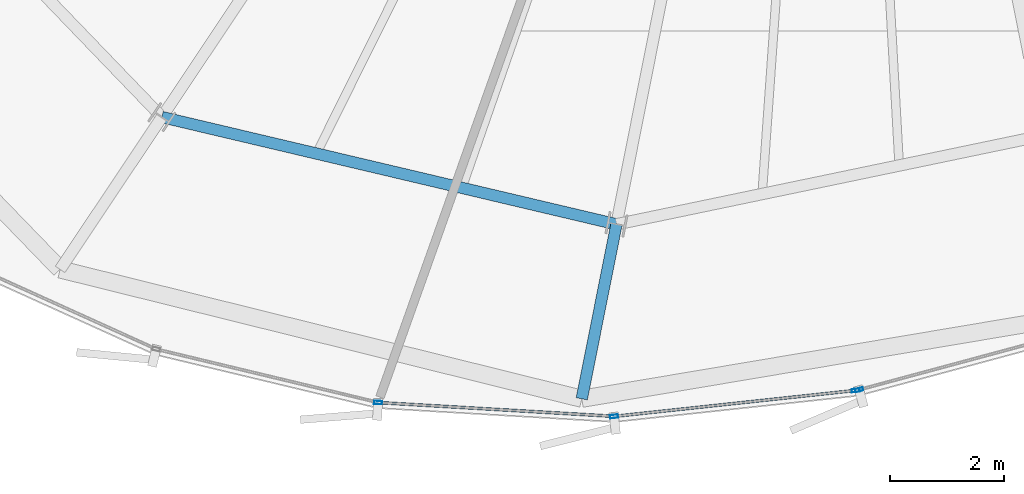
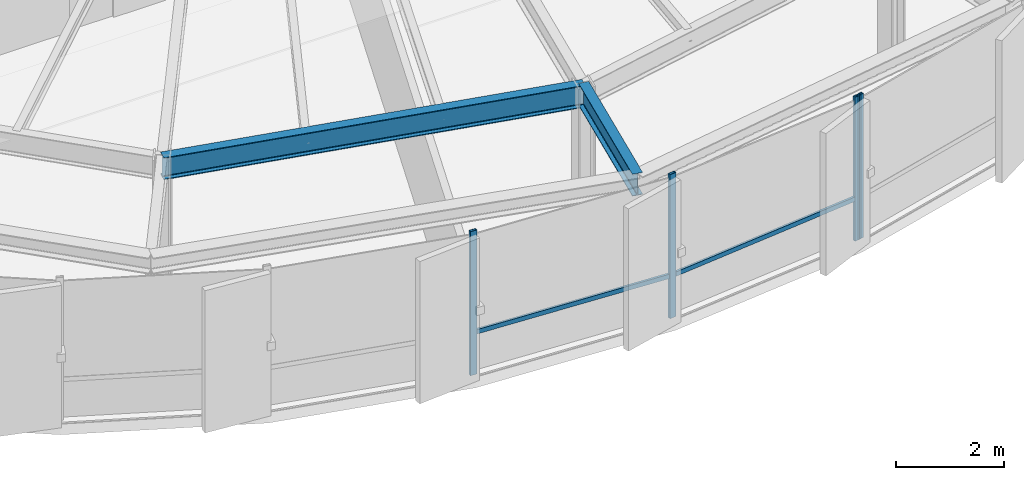
# One storey, part 6 of 35: 6 members, 2 beams, 2 elements without a shape of their own.
"""IFC4 building model written with IfcOpenShell, lengths in metres."""

import ifcopenshell
import ifcopenshell.guid

model = None  # the IFC model being written
_history = None  # IfcOwnerHistory: only IFC2X3 demands one
_inside = {}  # id of a spatial element -> (the spatial element, [elements in it])
_under = {}  # id of a project, library or spatial element -> (it, [spatial elements below it])
_declared = {}  # id of a project -> (the project, [libraries it declares])
_typed = {}  # id of a type object -> (the type object, [elements of that type])
_made_of = {}  # id of a material, layer set ... -> (it, [elements and type objects made of it])


def new_model(schema):
    """Start an empty IFC model of exactly this schema.

    Asked for "IFC4X3", IfcOpenShell would pick the latest addendum, in which some entities
    have other attributes; the version numbers below select the first issue.
    IFC2X3 requires an IfcOwnerHistory on every rooted entity: one is made here for all.
    """
    global model, _history
    if schema == "IFC4X3":
        model = ifcopenshell.file(schema_version=(4, 3, 0, 0))
    else:
        model = ifcopenshell.file(schema=schema)
    _inside.clear()
    _under.clear()
    _declared.clear()
    _typed.clear()
    _made_of.clear()
    _history = None
    if model.schema == "IFC2X3":
        org = make("IfcOrganization", Name="unknown")
        user = make(
            "IfcPersonAndOrganization",
            ThePerson=make("IfcPerson", FamilyName="unknown"),
            TheOrganization=org,
        )
        app = make(
            "IfcApplication",
            ApplicationDeveloper=org,
            Version="unknown",
            ApplicationFullName="unknown",
            ApplicationIdentifier="unknown",
        )
        _history = make(
            "IfcOwnerHistory",
            OwningUser=user,
            OwningApplication=app,
            ChangeAction="ADDED",
            CreationDate=0,
        )
    return model


def make(cls, **values):
    """One entity of the class cls with the attributes given. An attribute that is None is left unset."""
    return model.create_entity(
        cls, **{name: value for name, value in values.items() if value is not None}
    )


def rooted(cls, **values):
    """An entity with a GlobalId (a new one), such as an element, a storey or a relation."""
    return make(cls, GlobalId=ifcopenshell.guid.new(), OwnerHistory=_history, **values)


def si_unit(unit_type, name, prefix=None):
    """IfcSIUnit, for example si_unit("LENGTHUNIT", "METRE", prefix="MILLI")."""
    return make("IfcSIUnit", UnitType=unit_type, Prefix=prefix, Name=name)


def assignment(units):
    """IfcUnitAssignment: the units of a project."""
    return None if units is None else make("IfcUnitAssignment", Units=units)


def point(xyz):
    """IfcCartesianPoint."""
    return None if xyz is None else make("IfcCartesianPoint", Coordinates=xyz)


def direction(xyz):
    """IfcDirection."""
    return None if xyz is None else make("IfcDirection", DirectionRatios=xyz)


def frame(location, z_axis=None, x_axis=None):
    """IfcAxis2Placement3D, a coordinate frame: its origin and axes. An axis left out is left unset."""
    return make(
        "IfcAxis2Placement3D",
        Location=point(location),
        Axis=direction(z_axis),
        RefDirection=direction(x_axis),
    )


def frame_2d(location, x_axis=None):
    """IfcAxis2Placement2D, a coordinate frame in the plane: its origin and x axis."""
    return make(
        "IfcAxis2Placement2D", Location=point(location), RefDirection=direction(x_axis)
    )


def origin():
    """The frame at (0, 0, 0) with its axes left unset."""
    return frame((0.0, 0.0, 0.0))


def origin_2d():
    """The frame at (0, 0) in the plane with its x axis left unset."""
    return frame_2d((0.0, 0.0))


def place(relative_to, where):
    """IfcLocalPlacement: puts the frame where relative to a parent placement (None: the world)."""
    return make(
        "IfcLocalPlacement", PlacementRelTo=relative_to, RelativePlacement=where
    )


def context(
    kind, dimensions, precision=None, world=None, true_north=None, identifier=None
):
    """IfcGeometricRepresentationContext, for example the 3D "Model" context."""
    return make(
        "IfcGeometricRepresentationContext",
        ContextIdentifier=identifier,
        ContextType=kind,
        CoordinateSpaceDimension=dimensions,
        Precision=precision,
        WorldCoordinateSystem=world,
        TrueNorth=true_north,
    )


def subcontext(parent, identifier, kind, view, scale=None):
    """IfcGeometricRepresentationSubContext, for example "Body" below "Model"."""
    return make(
        "IfcGeometricRepresentationSubContext",
        ContextIdentifier=identifier,
        ContextType=kind,
        ParentContext=parent,
        TargetScale=scale,
        TargetView=view,
    )


def project(units=None, contexts=None):
    """IfcProject with its units and contexts."""
    return rooted(
        "IfcProject",
        Name="project",
        RepresentationContexts=contexts,
        UnitsInContext=assignment(units),
    )


def spatial(cls, under=None, at=None, **own):
    """A site, building, storey or space (cls), placed at a placement, below another one or the project."""
    s = rooted(cls, ObjectPlacement=at, **own)
    if under is not None:
        _under.setdefault(under.id(), (under, []))[1].append(s)
    return s


def profile(cls, at=None, kind="AREA", **sizes):
    """A parametric profile (cls). Its sizes go by their IFC names, for example OverallWidth=200.0."""
    return make(cls, ProfileType=kind, Position=at, **sizes)


def hollow_rectangle(**sizes):
    """IfcRectangleHollowProfileDef."""
    return profile("IfcRectangleHollowProfileDef", **sizes)


def i_section(**sizes):
    """IfcIShapeProfileDef."""
    return profile("IfcIShapeProfileDef", **sizes)


def extrude(swept, where, along, depth):
    """IfcExtrudedAreaSolid: the profile swept, set in the frame where, extruded along a direction by depth."""
    return make(
        "IfcExtrudedAreaSolid",
        SweptArea=swept,
        Position=where,
        ExtrudedDirection=direction(along),
        Depth=depth,
    )


def shape(context_of_items, identifier, shape_type, items):
    """IfcShapeRepresentation: the items that make up one representation, for example the "Body"."""
    return make(
        "IfcShapeRepresentation",
        ContextOfItems=context_of_items,
        RepresentationIdentifier=identifier,
        RepresentationType=shape_type,
        Items=items,
    )


def source(mapping_origin, context_of_items, identifier, shape_type, items):
    """IfcRepresentationMap: a shape defined once, which mapped items show again and again."""
    return make(
        "IfcRepresentationMap",
        MappingOrigin=mapping_origin,
        MappedRepresentation=shape(context_of_items, identifier, shape_type, items),
    )


def transform(
    local_origin,
    x_axis=None,
    y_axis=None,
    z_axis=None,
    scale=None,
    scale2=None,
    scale3=None,
    uniform=True,
):
    """IfcCartesianTransformationOperator3D, or its non-uniform kind. x_axis, y_axis, z_axis: its Axis1, 2, 3."""
    if uniform:
        return make(
            "IfcCartesianTransformationOperator3D",
            Axis1=direction(x_axis),
            Axis2=direction(y_axis),
            LocalOrigin=point(local_origin),
            Scale=scale,
            Axis3=direction(z_axis),
        )
    return make(
        "IfcCartesianTransformationOperator3DnonUniform",
        Axis1=direction(x_axis),
        Axis2=direction(y_axis),
        LocalOrigin=point(local_origin),
        Scale=scale,
        Axis3=direction(z_axis),
        Scale2=scale2,
        Scale3=scale3,
    )


def mapped(mapping_source, mapping_target):
    """IfcMappedItem: shows the shape of a source again, moved by a transform."""
    return make(
        "IfcMappedItem", MappingSource=mapping_source, MappingTarget=mapping_target
    )


def material(Name=None, Category=None):
    """IfcMaterial."""
    return make("IfcMaterial", Name=Name, Category=Category)


def layer(
    of_material, thickness, ventilated=None, Name=None, Category=None, Priority=None
):
    """IfcMaterialLayer: one layer of a wall or slab, of a material (None: an air gap)."""
    return make(
        "IfcMaterialLayer",
        Material=of_material,
        LayerThickness=thickness,
        IsVentilated=ventilated,
        Name=Name,
        Category=Category,
        Priority=Priority,
    )


def layer_set(layers, Name=None):
    """IfcMaterialLayerSet."""
    return make("IfcMaterialLayerSet", MaterialLayers=layers, LayerSetName=Name)


def material_profile(
    of_material, cross_section, Name=None, Category=None, Priority=None
):
    """IfcMaterialProfile: a cross section and its material."""
    return make(
        "IfcMaterialProfile",
        Name=Name,
        Material=of_material,
        Profile=cross_section,
        Priority=Priority,
        Category=Category,
    )


def profile_set(profiles, Name=None, composite=None):
    """IfcMaterialProfileSet."""
    return make(
        "IfcMaterialProfileSet",
        Name=Name,
        MaterialProfiles=profiles,
        CompositeProfile=composite,
    )


def made_of(thing, what):
    """Note that an element or type object is made of a material, layer set ...; save() writes the relation."""
    if what is not None:
        _made_of.setdefault(what.id(), (what, []))[1].append(thing)
    return thing


def type_object(cls, material=None, **own):
    """A type object (cls), such as IfcWallType, which elements share."""
    return made_of(rooted(cls, **own), material)


def element(
    cls,
    number,
    at=None,
    inside=None,
    cuts=None,
    type_object=None,
    material=None,
    context=None,
    identifier="Body",
    shape_type=None,
    held_by="IfcProductDefinitionShape",
    body=None,
    shapes=None,
    **own,
):
    """One element of the class cls, such as IfcWall. Its Tag is "e" and its number.

    at: its placement. inside: the storey or other place that contains it. cuts: it is an
    opening in that element (IfcRelVoidsElement). A single representation is given by context,
    identifier, shape_type and body (its items); several are given by shapes. held_by: the class
    of the entity that holds the representations. save() writes the other relations.
    """
    e = rooted(cls, Tag="e%d" % number, ObjectPlacement=at, **own)
    if body is not None:
        shapes = [shape(context, identifier, shape_type, body)]
    if shapes is not None:
        e.Representation = make(held_by, Representations=shapes)
    if inside is not None:
        _inside.setdefault(inside.id(), (inside, []))[1].append(e)
    if cuts is not None:
        rooted(
            "IfcRelVoidsElement", RelatingBuildingElement=cuts, RelatedOpeningElement=e
        )
    if type_object is not None:
        _typed.setdefault(type_object.id(), (type_object, []))[1].append(e)
    return made_of(e, material)


def aggregate(whole, parts):
    """IfcRelAggregates: a whole, such as a stair, and the parts it consists of."""
    return rooted("IfcRelAggregates", RelatingObject=whole, RelatedObjects=parts)


def save(model, path):
    """Write the relations noted so far, then the file.

    IfcRelAggregates (storeys below a building ...), IfcRelContainedInSpatialStructure (elements
    in a storey), IfcRelDefinesByType, IfcRelAssociatesMaterial and IfcRelDeclares: one each for
    every whole, place, type object, material and project.
    """
    for whole, parts in _under.values():
        aggregate(whole, parts)
    for where, things in _inside.values():
        rooted(
            "IfcRelContainedInSpatialStructure",
            RelatedElements=things,
            RelatingStructure=where,
        )
    for kind, things in _typed.values():
        rooted("IfcRelDefinesByType", RelatedObjects=things, RelatingType=kind)
    for what, things in _made_of.values():
        rooted("IfcRelAssociatesMaterial", RelatedObjects=things, RelatingMaterial=what)
    for by, libraries in _declared.values():
        rooted("IfcRelDeclares", RelatingContext=by, RelatedDefinitions=libraries)
    model.write(path)


model = new_model("IFC4")

# Units and contexts
model_context = context("Model", 3, precision=1e-05, world=origin(), true_north=direction((0.0, 1.0)))
body_context = subcontext(model_context, "Body", "Model", "MODEL_VIEW")
ifc_project = project(units=[si_unit("LENGTHUNIT", "METRE"), si_unit("AREAUNIT", "SQUARE_METRE"), si_unit("VOLUMEUNIT", "CUBIC_METRE"), si_unit("PLANEANGLEUNIT", "RADIAN"), si_unit("MASSUNIT", "GRAM", prefix="KILO"), si_unit("THERMODYNAMICTEMPERATUREUNIT", "KELVIN")], contexts=[model_context])

# Site, building, storey
site_placement = place(None, origin())
site = spatial("IfcSite", under=ifc_project, at=site_placement, CompositionType="ELEMENT")
building_placement = place(site_placement, origin())
building = spatial("IfcBuilding", under=site, at=building_placement, Name="Kethvar Cultural Tower", CompositionType="ELEMENT")
storey_placement = place(building_placement, frame((0.0, 0.0, 179.89990234375)))
storey = spatial("IfcBuildingStorey", under=building, at=storey_placement, Name="L46", CompositionType="ELEMENT", Elevation=179.89990234375)

# Beams
ifc_material_1 = material(Name="Steel S355J2", Category="steel")
ifc_material_profile_1 = material_profile(ifc_material_1, i_section(OverallWidth=0.199951171875, OverallDepth=0.5, WebThickness=0.01025390625, FlangeThickness=0.01611328125, FilletRadius=0.02099609375, at=origin_2d()), Name="Steel S355J2 — IPE500")
ifc_profile_set_1 = profile_set([ifc_material_profile_1], Name="Steel S355J2 — IPE500")
beam_type = type_object("IfcBeamType", Name="BM-IPE500", PredefinedType="BEAM", material=ifc_profile_set_1)
shared_shape_1 = source(origin(), body_context, "Body", "SweptSolid", [
    extrude(i_section(OverallWidth=0.199951171875, OverallDepth=0.5, WebThickness=0.01025390625, FlangeThickness=0.01611328125, FilletRadius=0.02099609375, at=origin_2d()), origin(), (0.0, 0.0, 1.0), 8.158935546875),
])
beam_1_placement = place(storey_placement, frame((34.962646484375, 10.084228515625, 3.008056640625), z_axis=(0.973284754953, -0.229601362748, 0.0), x_axis=(0.229601362748, 0.973284754953, 0.0)))
element("IfcBeam", 1, at=beam_1_placement, inside=storey, type_object=beam_type, Name="L46 Column Ring Tie Beam CR-11", PredefinedType="BEAM", context=body_context, shape_type="MappedRepresentation", body=[
    mapped(shared_shape_1, transform((0.0, 0.0, 0.0), scale=1.0)),
])
shared_shape_2 = source(origin(), body_context, "Body", "SweptSolid", [
    extrude(i_section(OverallWidth=0.199951171875, OverallDepth=0.5, WebThickness=0.01025390625, FlangeThickness=0.01611328125, FilletRadius=0.02099609375, at=origin_2d()), origin(), (0.0, 0.0, 1.0), 3.10693359375),
])
beam_2_placement = place(storey_placement, frame((42.903564453125, 8.2109375, 3.008056640625), z_axis=(-0.195118649103, -0.98077964537, 0.0), x_axis=(0.98077964537, -0.195118649103, 0.0)))
element("IfcBeam", 2, at=beam_2_placement, inside=storey, type_object=beam_type, Name="L46 Perimeter Cantilever Beam RC-12", PredefinedType="BEAM", context=body_context, shape_type="MappedRepresentation", body=[
    mapped(shared_shape_2, transform((0.0, 0.0, 0.0), scale=1.0)),
])

# Curtain wall, members
ifc_material_2 = material(Name="Aluminium 6063-T6", Category="aluminium")
ifc_layer = layer(ifc_material_2, 0.179931640625, Name="Aluminium 6063-T6", Category="aluminium")
ifc_layer_set = layer_set([ifc_layer], Name="Aluminium 6063-T6 (180 mm)")
curtain_wall_type = type_object("IfcCurtainWallType", Name="CW-SYS-04-Z34", PredefinedType="NOTDEFINED", material=ifc_layer_set)
curtain_wall_1_placement = place(storey_placement, origin())
curtain_wall_1 = element("IfcCurtainWall", 3, at=curtain_wall_1_placement, inside=storey, type_object=curtain_wall_type, Name="L46 Curtain Wall Run 04", PredefinedType="NOTDEFINED")
ifc_material_profile_2 = material_profile(ifc_material_2, hollow_rectangle(XDim=0.06005859375, YDim=0.139892578125, WallThickness=0.0048828125, at=origin_2d()), Name="Aluminium 6063-T6 — RHS140x60x5")
ifc_profile_set_2 = profile_set([ifc_material_profile_2], Name="Aluminium 6063-T6 — RHS140x60x5")
member_type_1 = type_object("IfcMemberType", Name="CW-SYS-04-Z34-MUL", PredefinedType="MULLION", material=ifc_profile_set_2)
shared_shape_3 = source(origin(), body_context, "Body", "SweptSolid", [
    extrude(hollow_rectangle(XDim=0.06005859375, YDim=0.139892578125, WallThickness=0.0048828125, at=origin_2d()), origin(), (0.0, 0.0, 1.0), 3.260009765625),
])
member_1_placement = place(storey_placement, frame((38.738525390625, 5.097900390625, 0.0), z_axis=(0.0, 0.0, 1.0), x_axis=(0.058348104954, 0.998296298024, 0.0)))
member_1 = element("IfcMember", 4, at=member_1_placement, type_object=member_type_1, Name="CW-L46-R04 Mullion 5", PredefinedType="MULLION", context=body_context, shape_type="MappedRepresentation", body=[
    mapped(shared_shape_3, transform((0.0, 0.0, 0.0), scale=1.0)),
])
member_2_placement = place(storey_placement, frame((42.861083984375, 4.85546875, 0.0), z_axis=(0.0, 0.0, 1.0), x_axis=(-0.107027636651, 0.994256045993, 0.0)))
member_2 = element("IfcMember", 5, at=member_2_placement, type_object=member_type_1, Name="CW-L46-R04 Mullion 6", PredefinedType="MULLION", context=body_context, shape_type="MappedRepresentation", body=[
    mapped(shared_shape_3, transform((0.0, 0.0, 0.0), scale=1.0)),
])
member_3_placement = place(storey_placement, frame((47.082275390625, 5.309814453125, 0.0), z_axis=(0.0, 0.0, 1.0), x_axis=(-0.107027636651, 0.994256045993, 0.0)))
member_3 = element("IfcMember", 6, at=member_3_placement, type_object=member_type_1, Name="CW-L46-R04 Mullion 7", PredefinedType="MULLION", context=body_context, shape_type="MappedRepresentation", body=[
    mapped(shared_shape_3, transform((0.0, 0.0, 0.0), scale=1.0)),
])

# Curtain wall, member
curtain_wall_2_placement = place(storey_placement, origin())
curtain_wall_2 = element("IfcCurtainWall", 7, at=curtain_wall_2_placement, inside=storey, type_object=curtain_wall_type, Name="L46 Curtain Wall Run 05", PredefinedType="NOTDEFINED")
member_4_placement = place(storey_placement, frame((47.141845703125, 5.321044921875, 0.0), z_axis=(0.0, 0.0, 1.0), x_axis=(-0.260167479254, 0.965563505285, 0.0)))
member_4 = element("IfcMember", 8, at=member_4_placement, type_object=member_type_1, Name="CW-L46-R05 Mullion 1", PredefinedType="MULLION", context=body_context, shape_type="MappedRepresentation", body=[
    mapped(shared_shape_3, transform((0.0, 0.0, 0.0), scale=1.0)),
])
aggregate(curtain_wall_2, [member_4])

# Member
ifc_material_profile_3 = material_profile(ifc_material_2, hollow_rectangle(XDim=0.050048828125, YDim=0.10009765625, WallThickness=0.00390625, at=origin_2d()), Name="Aluminium 6063-T6 — RHS100x50x4")
ifc_profile_set_3 = profile_set([ifc_material_profile_3], Name="Aluminium 6063-T6 — RHS100x50x4")
member_type_2 = type_object("IfcMemberType", Name="CW-SYS-04-Z34-TRN", PredefinedType="USERDEFINED", material=ifc_profile_set_3)
shared_shape_4 = source(origin(), body_context, "Body", "SweptSolid", [
    extrude(hollow_rectangle(XDim=0.050048828125, YDim=0.10009765625, WallThickness=0.00390625, at=origin_2d()), origin(), (0.0, 0.0, 1.0), 4.061279296875),
])
member_5_placement = place(storey_placement, frame((38.78173828125, 5.09521484375, 0.9501953125), z_axis=(0.998298540569, -0.058309723873, 0.0), x_axis=(0.058309723873, 0.998298540569, 0.0)))
member_5 = element("IfcMember", 9, at=member_5_placement, type_object=member_type_2, Name="CW-L46-R04 Transom 5", ObjectType="TRANSOM", PredefinedType="USERDEFINED", context=body_context, shape_type="MappedRepresentation", body=[
    mapped(shared_shape_4, transform((0.0, 0.0, 0.0), scale=1.0)),
])

shared_shape_5 = source(origin(), body_context, "Body", "SweptSolid", [
    extrude(hollow_rectangle(XDim=0.050048828125, YDim=0.10009765625, WallThickness=0.00390625, at=origin_2d()), origin(), (0.0, 0.0, 1.0), 4.1982421875),
])
member_6_placement = place(storey_placement, frame((42.904052734375, 4.860107421875, 0.9501953125), z_axis=(0.994258662171, 0.107003330315, 0.0), x_axis=(-0.107003330315, 0.994258662171, 0.0)))
member_6 = element("IfcMember", 10, at=member_6_placement, type_object=member_type_2, Name="CW-L46-R04 Transom 6", ObjectType="TRANSOM", PredefinedType="USERDEFINED", context=body_context, shape_type="MappedRepresentation", body=[
    mapped(shared_shape_5, transform((0.0, 0.0, 0.0), scale=1.0)),
])

aggregate(curtain_wall_1, [member_1, member_2, member_3, member_5, member_6])

save(model, "model.ifc")
